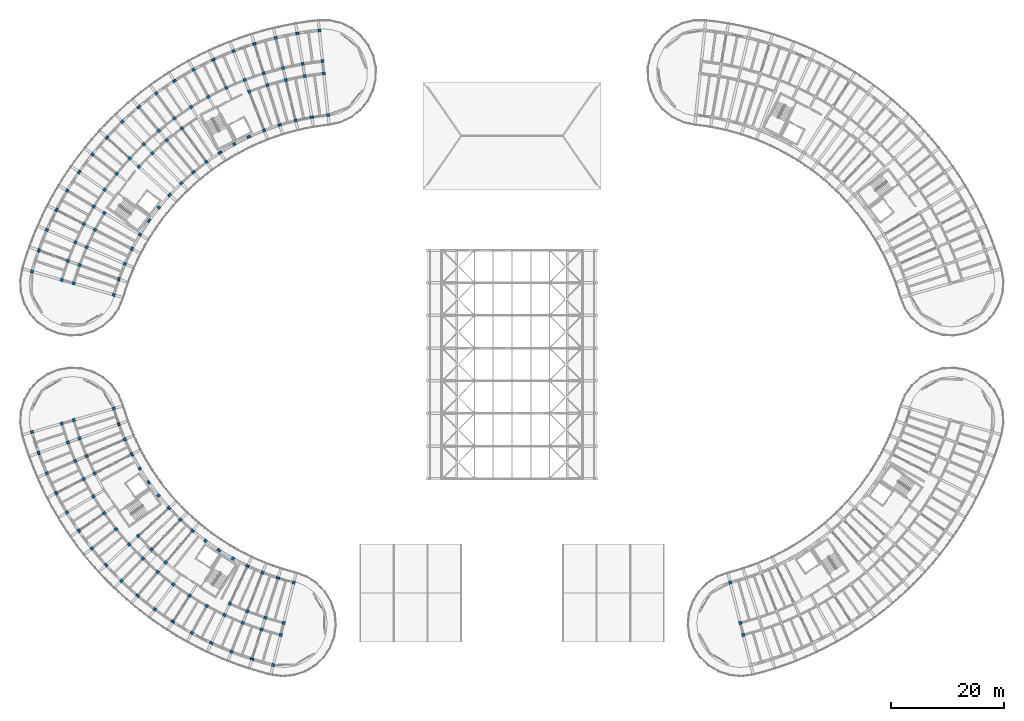
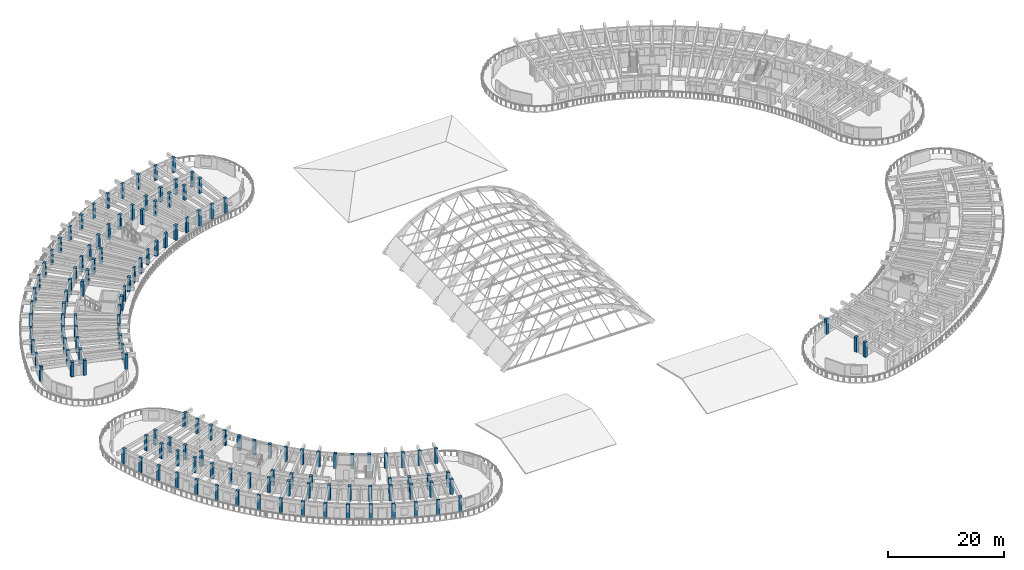
# One storey, part 1 of 81: 136 columns.
"""IFC4 building model written with IfcOpenShell, lengths in metres."""

from ifc_helpers import new_model, si_unit, direction, frame, origin, origin_2d, place, context, subcontext, project, spatial, rectangle, extrude, material, material_profile, profile_set, type_object, element, save


model = new_model("IFC4")

# Units and contexts
model_context = context("Model", 3, precision=1e-05, world=origin(), true_north=direction((0.0, 1.0)))
body_context = subcontext(model_context, "Body", "Model", "MODEL_VIEW")
ifc_project = project(units=[si_unit("LENGTHUNIT", "METRE"), si_unit("AREAUNIT", "SQUARE_METRE"), si_unit("VOLUMEUNIT", "CUBIC_METRE"), si_unit("PLANEANGLEUNIT", "RADIAN"), si_unit("MASSUNIT", "GRAM", prefix="KILO")], contexts=[model_context])

# Site, building, storey
site_placement = place(None, origin())
site = spatial("IfcSite", under=ifc_project, at=site_placement, CompositionType="ELEMENT")
building_placement = place(site_placement, origin())
building = spatial("IfcBuilding", under=site, at=building_placement, Name="Tanwirah Colonnade Gardens", CompositionType="ELEMENT")
storey_placement = place(building_placement, frame((0.0, 0.0, 8.840087890625)))
storey = spatial("IfcBuildingStorey", under=building, at=storey_placement, Name="L02", CompositionType="ELEMENT", Elevation=8.840087890625)

# Columns
ifc_material_1 = material(Name="Precast concrete C40/50", Category="concrete")
ifc_material_profile_1 = material_profile(ifc_material_1, rectangle(XDim=0.56005859375, YDim=0.56005859375, at=origin_2d()), Name="PC-COL 560x560")
ifc_profile_set_1 = profile_set([ifc_material_profile_1], Name="Precast concrete C40/50")
column_type_1 = type_object("IfcColumnType", Name="C-PC480", PredefinedType="COLUMN", material=ifc_profile_set_1)
for number, where, z_axis, x_axis, name in (
    (1, (22.27197265625, 52.247802734375, 0.0), (0.0, 0.0, 1.0), (-0.961261695938, -0.275637355817, 0.0), "Block C L02 Column 0-R0"),
    (2, (15.15869140625, 50.208251953125, 0.0), (0.0, 0.0, 1.0), (-0.961261695938, -0.275637355817, 0.0), "Block C L02 Column 0-R1"),
    (3, (13.043701171875, 49.601806640625, 0.0), (0.0, 0.0, 1.0), (-0.961261695938, -0.275637355817, 0.0), "Block C L02 Column 0-R2"),
    (4, (7.7568359375, 48.085693359375, 0.0), (0.0, 0.0, 1.0), (-0.961261695938, -0.275637355817, 0.0), "Block C L02 Column 0-R3"),
    (5, (16.199951171875, 46.97900390625, 0.0), (0.0, 0.0, 1.0), (-0.941176015256, -0.337916718003, 0.0), "Block C L02 Column 1-R1"),
    (6, (14.12939453125, 46.235595703125, 0.0), (0.0, 0.0, 1.0), (-0.941176015256, -0.337916718003, 0.0), "Block C L02 Column 1-R2"),
    (7, (24.236572265625, 46.775634765625, 0.0), (0.0, 0.0, 1.0), (-0.917060074385, -0.398749068925, 0.0), "Block C L02 Column 2-R0"),
    (8, (17.450439453125, 43.824951171875, 0.0), (0.0, 0.0, 1.0), (-0.917060074385, -0.398749068925, 0.0), "Block C L02 Column 2-R1"),
    (9, (15.432861328125, 42.947509765625, 0.0), (0.0, 0.0, 1.0), (-0.917060074385, -0.398749068925, 0.0), "Block C L02 Column 2-R2"),
    (10, (10.38916015625, 40.75439453125, 0.0), (0.0, 0.0, 1.0), (-0.917060074385, -0.398749068925, 0.0), "Block C L02 Column 2-R3"),
    (11, (18.904541015625, 40.75927734375, 0.0), (0.0, 0.0, 1.0), (-0.889017141486, -0.457873915117, 0.0), "Block C L02 Column 3-R1"),
    (12, (16.94873046875, 39.751953125, 0.0), (0.0, 0.0, 1.0), (-0.889017141486, -0.457873915117, 0.0), "Block C L02 Column 3-R2"),
    (13, (26.89892578125, 41.6064453125, 0.0), (0.0, 0.0, 1.0), (-0.857167300702, -0.51503807491, 0.0), "Block C L02 Column 4-R0"),
    (14, (18.670166015625, 36.662109375, 0.0), (0.0, 0.0, 1.0), (-0.857167300702, -0.51503807491, 0.0), "Block C L02 Column 4-R2"),
    (15, (13.95556640625, 33.82958984375, 0.0), (0.0, 0.0, 1.0), (-0.857167300702, -0.51503807491, 0.0), "Block C L02 Column 4-R3"),
    (16, (20.590087890625, 33.691650390625, 0.0), (0.0, 0.0, 1.0), (-0.821646937942, -0.569996762596, 0.0), "Block C L02 Column 5-R2"),
    (17, (30.213134765625, 36.829345703125, 0.0), (0.0, 0.0, 1.0), (-0.782608156852, -0.622514636638, 0.0), "Block C L02 Column 6-R0"),
    (18, (22.699951171875, 30.85302734375, 0.0), (0.0, 0.0, 1.0), (-0.782608156852, -0.622514636638, 0.0), "Block C L02 Column 6-R2"),
    (19, (18.395751953125, 27.42919921875, 0.0), (0.0, 0.0, 1.0), (-0.782608156852, -0.622514636638, 0.0), "Block C L02 Column 6-R3"),
    (20, (26.61962890625, 29.6376953125, 0.0), (0.0, 0.0, 1.0), (-0.740218127487, -0.672366807435, 0.0), "Block C L02 Column 7-R1"),
    (21, (24.9912109375, 28.15869140625, 0.0), (0.0, 0.0, 1.0), (-0.740218127487, -0.672366807435, 0.0), "Block C L02 Column 7-R2"),
    (22, (34.122314453125, 32.525390625, 0.0), (0.0, 0.0, 1.0), (-0.694658370459, -0.719339800339, 0.0), "Block C L02 Column 8-R0"),
    (23, (28.98193359375, 27.2021484375, 0.0), (0.0, 0.0, 1.0), (-0.694658370459, -0.719339800339, 0.0), "Block C L02 Column 8-R1"),
    (24, (27.45361328125, 25.61962890625, 0.0), (0.0, 0.0, 1.0), (-0.694658370459, -0.719339800339, 0.0), "Block C L02 Column 8-R2"),
    (25, (23.633056640625, 21.663330078125, 0.0), (0.0, 0.0, 1.0), (-0.694658370459, -0.719339800339, 0.0), "Block C L02 Column 8-R3"),
    (26, (31.49853515625, 24.926513671875, 0.0), (0.0, 0.0, 1.0), (-0.646123979643, -0.763232469783, 0.0), "Block C L02 Column 9-R1"),
    (27, (30.076904296875, 23.247314453125, 0.0), (0.0, 0.0, 1.0), (-0.646123979643, -0.763232469783, 0.0), "Block C L02 Column 9-R2"),
    (28, (38.56005859375, 28.7685546875, 0.0), (0.0, 0.0, 1.0), (-0.594822786751, -0.803856860617, 0.0), "Block C L02 Column 10-R0"),
    (29, (32.849853515625, 21.051513671875, 0.0), (0.0, 0.0, 1.0), (-0.594822786751, -0.803856860617, 0.0), "Block C L02 Column 10-R2"),
    (30, (29.578369140625, 16.63037109375, 0.0), (0.0, 0.0, 1.0), (-0.594822786751, -0.803856860617, 0.0), "Block C L02 Column 10-R3"),
    (31, (35.76025390625, 19.041748046875, 0.0), (0.0, 0.0, 1.0), (-0.540974471368, -0.841039012964, 0.0), "Block C L02 Column 11-R2"),
    (32, (43.4501953125, 25.623046875, 0.0), (0.0, 0.0, 1.0), (-0.484809620246, -0.874619707139, 0.0), "Block C L02 Column 12-R0"),
    (33, (38.796142578125, 17.226806640625, 0.0), (0.0, 0.0, 1.0), (-0.484809620246, -0.874619707139, 0.0), "Block C L02 Column 12-R2"),
    (34, (36.129638671875, 12.41650390625, 0.0), (0.0, 0.0, 1.0), (-0.484809620246, -0.874619707139, 0.0), "Block C L02 Column 12-R3"),
    (35, (42.88232421875, 17.60400390625, 0.0), (0.0, 0.0, 1.0), (-0.426568739901, -0.904455145454, 0.0), "Block C L02 Column 13-R1"),
    (36, (41.94384765625, 15.6142578125, 0.0), (0.0, 0.0, 1.0), (-0.426568739901, -0.904455145454, 0.0), "Block C L02 Column 13-R2"),
    (37, (48.708984375, 23.142822265625, 0.0), (0.0, 0.0, 1.0), (-0.366501226724, -0.930417567982, 0.0), "Block C L02 Column 14-R0"),
    (38, (45.996826171875, 16.2578125, 0.0), (0.0, 0.0, 1.0), (-0.366501226724, -0.930417567982, 0.0), "Block C L02 Column 14-R1"),
    (39, (45.190673828125, 14.2109375, 0.0), (0.0, 0.0, 1.0), (-0.366501226724, -0.930417567982, 0.0), "Block C L02 Column 14-R2"),
    (40, (43.1748046875, 9.09375, 0.0), (0.0, 0.0, 1.0), (-0.366501226724, -0.930417567982, 0.0), "Block C L02 Column 14-R3"),
    (41, (49.19287109375, 15.1181640625, 0.0), (0.0, 0.0, 1.0), (-0.304864299028, -0.952395799643, 0.0), "Block C L02 Column 15-R1"),
    (42, (48.52197265625, 13.02294921875, 0.0), (0.0, 0.0, 1.0), (-0.304864299028, -0.952395799643, 0.0), "Block C L02 Column 15-R2"),
    (43, (54.24658203125, 21.370361328125, 0.0), (0.0, 0.0, 1.0), (-0.2419218956, -0.970295726276, 0.0), "Block C L02 Column 16-R0"),
    (44, (52.456298828125, 14.190185546875, 0.0), (0.0, 0.0, 1.0), (-0.2419218956, -0.970295726276, 0.0), "Block C L02 Column 16-R1"),
    (45, (51.924072265625, 12.055419921875, 0.0), (0.0, 0.0, 1.0), (-0.2419218956, -0.970295726276, 0.0), "Block C L02 Column 16-R2"),
    (46, (50.593505859375, 6.718994140625, 0.0), (0.0, 0.0, 1.0), (-0.2419218956, -0.970295726276, 0.0), "Block C L02 Column 16-R3"),
    (47, (131.75341796875, 21.370361328125, 0.0), (0.0, 0.0, 1.0), (0.2419218956, -0.970295726276, 0.0), "Block D L02 Column 0-R0"),
    (48, (133.543701171875, 14.190185546875, 0.0), (0.0, 0.0, 1.0), (0.2419218956, -0.970295726276, 0.0), "Block D L02 Column 0-R1"),
    (49, (134.075927734375, 12.055419921875, 0.0), (0.0, 0.0, 1.0), (0.2419218956, -0.970295726276, 0.0), "Block D L02 Column 0-R2"),
):
    element("IfcColumn", number, at=place(storey_placement, frame(where, z_axis=z_axis, x_axis=x_axis)), inside=storey, type_object=column_type_1, Name=name, PredefinedType="COLUMN", context=body_context, shape_type="SweptSolid", body=[
        extrude(rectangle(XDim=0.56005859375, YDim=0.56005859375, at=origin_2d()), origin(), (0.0, 0.0, 1.0), 3.10498046875),
    ])
ifc_material_2 = material(Name="Precast concrete C45/55", Category="concrete")
ifc_material_profile_2 = material_profile(ifc_material_2, rectangle(XDim=0.550048828125, YDim=0.550048828125, at=origin_2d()), Name="PC-COL 550x550")
ifc_profile_set_2 = profile_set([ifc_material_profile_2], Name="Precast concrete C45/55")
column_type_2 = type_object("IfcColumnType", Name="C-PC550", PredefinedType="COLUMN", material=ifc_profile_set_2)
for number, where, z_axis, x_axis, name in (
    (50, (60.353759765625, 104.406494140625, 0.0), (0.0, 0.0, 1.0), (-0.104528463268, 0.994521895368, 0.0), "Block A L02 Column 0-R0"),
    (51, (59.580078125, 111.765869140625, 0.0), (0.0, 0.0, 1.0), (-0.104528463268, 0.994521895368, 0.0), "Block A L02 Column 0-R1"),
    (52, (59.350341796875, 113.953857421875, 0.0), (0.0, 0.0, 1.0), (-0.104528463268, 0.994521895368, 0.0), "Block A L02 Column 0-R2"),
    (53, (58.775390625, 119.423828125, 0.0), (0.0, 0.0, 1.0), (-0.104528463268, 0.994521895368, 0.0), "Block A L02 Column 0-R3"),
    (54, (56.1943359375, 111.296875, 0.0), (0.0, 0.0, 1.0), (-0.169827298811, 0.985473839622, 0.0), "Block A L02 Column 1-R1"),
    (55, (55.82080078125, 113.46484375, 0.0), (0.0, 0.0, 1.0), (-0.169827298811, 0.985473839622, 0.0), "Block A L02 Column 1-R2"),
    (56, (54.58154296875, 103.411865234375, 0.0), (0.0, 0.0, 1.0), (-0.23438809799, 0.972143106503, 0.0), "Block A L02 Column 2-R0"),
    (57, (52.846923828125, 110.605712890625, 0.0), (0.0, 0.0, 1.0), (-0.23438809799, 0.972143106503, 0.0), "Block A L02 Column 2-R1"),
    (58, (52.331298828125, 112.744384765625, 0.0), (0.0, 0.0, 1.0), (-0.23438809799, 0.972143106503, 0.0), "Block A L02 Column 2-R2"),
    (59, (51.042236328125, 118.091064453125, 0.0), (0.0, 0.0, 1.0), (-0.23438809799, 0.972143106503, 0.0), "Block A L02 Column 2-R3"),
    (60, (49.55224609375, 109.6953125, 0.0), (0.0, 0.0, 1.0), (-0.297930292146, 0.954587628781, 0.0), "Block A L02 Column 3-R1"),
    (61, (48.89697265625, 111.79541015625, 0.0), (0.0, 0.0, 1.0), (-0.297930292146, 0.954587628781, 0.0), "Block A L02 Column 3-R2"),
    (62, (48.989990234375, 101.666748046875, 0.0), (0.0, 0.0, 1.0), (-0.360177739278, 0.932883699144, 0.0), "Block A L02 Column 4-R0"),
    (63, (46.32470703125, 108.570068359375, 0.0), (0.0, 0.0, 1.0), (-0.360177739278, 0.932883699144, 0.0), "Block A L02 Column 4-R1"),
    (64, (45.532470703125, 110.622314453125, 0.0), (0.0, 0.0, 1.0), (-0.360177739278, 0.932883699144, 0.0), "Block A L02 Column 4-R2"),
    (65, (43.551513671875, 115.753173828125, 0.0), (0.0, 0.0, 1.0), (-0.360177739278, 0.932883699144, 0.0), "Block A L02 Column 4-R3"),
    (66, (42.25244140625, 109.230224609375, 0.0), (0.0, 0.0, 1.0), (-0.420859924104, 0.907125638643, 0.0), "Block A L02 Column 5-R2"),
    (67, (43.6767578125, 99.20166015625, 0.0), (0.0, 0.0, 1.0), (-0.479713133669, 0.877425386791, 0.0), "Block A L02 Column 6-R0"),
    (68, (39.071533203125, 107.624755859375, 0.0), (0.0, 0.0, 1.0), (-0.479713133669, 0.877425386791, 0.0), "Block A L02 Column 6-R2"),
    (69, (36.43310546875, 112.45068359375, 0.0), (0.0, 0.0, 1.0), (-0.479713133669, 0.877425386791, 0.0), "Block A L02 Column 6-R3"),
    (70, (36.003173828125, 105.8134765625, 0.0), (0.0, 0.0, 1.0), (-0.536481603385, 0.843912015099, 0.0), "Block A L02 Column 7-R2"),
    (71, (38.733642578125, 96.05908203125, 0.0), (0.0, 0.0, 1.0), (-0.590918628541, 0.806731166153, 0.0), "Block A L02 Column 8-R0"),
    (72, (34.36083984375, 102.029052734375, 0.0), (0.0, 0.0, 1.0), (-0.590918628541, 0.806731166153, 0.0), "Block A L02 Column 8-R1"),
    (73, (33.060791015625, 103.8037109375, 0.0), (0.0, 0.0, 1.0), (-0.590918628541, 0.806731166153, 0.0), "Block A L02 Column 8-R2"),
    (74, (29.810791015625, 108.24072265625, 0.0), (0.0, 0.0, 1.0), (-0.590918628541, 0.806731166153, 0.0), "Block A L02 Column 8-R3"),
    (75, (31.67138671875, 99.91943359375, 0.0), (0.0, 0.0, 1.0), (-0.642787636427, 0.766044420681, 0.0), "Block A L02 Column 9-R1"),
    (76, (30.25732421875, 101.604736328125, 0.0), (0.0, 0.0, 1.0), (-0.642787636427, 0.766044420681, 0.0), "Block A L02 Column 9-R2"),
    (77, (34.24658203125, 92.294189453125, 0.0), (0.0, 0.0, 1.0), (-0.691863214436, 0.722028595355, 0.0), "Block A L02 Column 10-R0"),
    (78, (29.126953125, 97.63720703125, 0.0), (0.0, 0.0, 1.0), (-0.691863214436, 0.722028595355, 0.0), "Block A L02 Column 10-R1"),
    (79, (27.604736328125, 99.2255859375, 0.0), (0.0, 0.0, 1.0), (-0.691863214436, 0.722028595355, 0.0), "Block A L02 Column 10-R2"),
    (80, (23.799560546875, 103.19677734375, 0.0), (0.0, 0.0, 1.0), (-0.691863214436, 0.722028595355, 0.0), "Block A L02 Column 10-R3"),
    (81, (26.73828125, 95.1923828125, 0.0), (0.0, 0.0, 1.0), (-0.737932089665, 0.674874974378, 0.0), "Block A L02 Column 11-R1"),
    (82, (25.11474609375, 96.677001953125, 0.0), (0.0, 0.0, 1.0), (-0.737932089665, 0.674874974378, 0.0), "Block A L02 Column 11-R2"),
    (83, (30.293701171875, 87.971923828125, 0.0), (0.0, 0.0, 1.0), (-0.780794055756, 0.624788478204, 0.0), "Block A L02 Column 12-R0"),
    (84, (22.798095703125, 93.9697265625, 0.0), (0.0, 0.0, 1.0), (-0.780794055756, 0.624788478204, 0.0), "Block A L02 Column 12-R2"),
    (85, (18.503662109375, 97.40625, 0.0), (0.0, 0.0, 1.0), (-0.780794055756, 0.624788478204, 0.0), "Block A L02 Column 12-R3"),
    (86, (20.664794921875, 91.115966796875, 0.0), (0.0, 0.0, 1.0), (-0.82026284295, 0.57198677299, 0.0), "Block A L02 Column 13-R2"),
    (87, (26.943359375, 83.167236328125, 0.0), (0.0, 0.0, 1.0), (-0.856166927587, 0.516699324663, 0.0), "Block A L02 Column 14-R0"),
    (88, (20.607666015625, 86.990966796875, 0.0), (0.0, 0.0, 1.0), (-0.856166927587, 0.516699324663, 0.0), "Block A L02 Column 14-R1"),
    (89, (18.72412109375, 88.127685546875, 0.0), (0.0, 0.0, 1.0), (-0.856166927587, 0.516699324663, 0.0), "Block A L02 Column 14-R2"),
    (90, (14.015380859375, 90.969482421875, 0.0), (0.0, 0.0, 1.0), (-0.856166927587, 0.516699324663, 0.0), "Block A L02 Column 14-R3"),
    (91, (18.93896484375, 84.0078125, 0.0), (0.0, 0.0, 1.0), (-0.888350277506, 0.459166401705, 0.0), "Block A L02 Column 15-R1"),
    (92, (16.984619140625, 85.017822265625, 0.0), (0.0, 0.0, 1.0), (-0.888350277506, 0.459166401705, 0.0), "Block A L02 Column 15-R2"),
    (93, (24.25390625, 77.9638671875, 0.0), (0.0, 0.0, 1.0), (-0.916673030138, 0.399638030994, 0.0), "Block A L02 Column 16-R0"),
    (94, (17.470458984375, 80.921142578125, 0.0), (0.0, 0.0, 1.0), (-0.916673030138, 0.399638030994, 0.0), "Block A L02 Column 16-R1"),
    (95, (15.453857421875, 81.800537109375, 0.0), (0.0, 0.0, 1.0), (-0.916673030138, 0.399638030994, 0.0), "Block A L02 Column 16-R2"),
    (96, (10.412109375, 83.99853515625, 0.0), (0.0, 0.0, 1.0), (-0.916673030138, 0.399638030994, 0.0), "Block A L02 Column 16-R3"),
    (97, (16.20849609375, 77.74462890625, 0.0), (0.0, 0.0, 1.0), (-0.941012100316, 0.338372911236, 0.0), "Block A L02 Column 17-R1"),
    (98, (14.13818359375, 78.489013671875, 0.0), (0.0, 0.0, 1.0), (-0.941012100316, 0.338372911236, 0.0), "Block A L02 Column 17-R2"),
    (99, (22.27197265625, 72.4521484375, 0.0), (0.0, 0.0, 1.0), (-0.961261715181, 0.275637288708, 0.0), "Block A L02 Column 18-R0"),
    (100, (15.15869140625, 74.49169921875, 0.0), (0.0, 0.0, 1.0), (-0.961261715181, 0.275637288708, 0.0), "Block A L02 Column 18-R1"),
    (101, (13.043701171875, 75.09814453125, 0.0), (0.0, 0.0, 1.0), (-0.961261715181, 0.275637288708, 0.0), "Block A L02 Column 18-R2"),
    (102, (7.7568359375, 76.6142578125, 0.0), (0.0, 0.0, 1.0), (-0.961261715181, 0.275637288708, 0.0), "Block A L02 Column 18-R3"),
):
    element("IfcColumn", number, at=place(storey_placement, frame(where, z_axis=z_axis, x_axis=x_axis)), inside=storey, type_object=column_type_2, Name=name, PredefinedType="COLUMN", context=body_context, shape_type="SweptSolid", body=[
        extrude(rectangle(XDim=0.550048828125, YDim=0.550048828125, at=origin_2d()), origin(), (0.0, 0.0, 1.0), 3.10498046875),
    ])
ifc_material_profile_3 = material_profile(ifc_material_1, rectangle(XDim=0.3798828125, YDim=0.6201171875, at=origin_2d()), Name="PC-PIL 380x620")
ifc_profile_set_3 = profile_set([ifc_material_profile_3], Name="Precast concrete C40/50")
column_type_3 = type_object("IfcColumnType", Name="PIL-380", PredefinedType="PILASTER", material=ifc_profile_set_3)
for number, where, z_axis, x_axis, name in (
    (103, (57.451171875, 104.00439453125, 0.0), (0.0, 0.0, 1.0), (-0.169827298811, 0.985473839622, 0.0), "Block A L02 Column 1-R0"),
    (104, (54.88671875, 118.885009765625, 0.0), (0.0, 0.0, 1.0), (-0.169827298811, 0.985473839622, 0.0), "Block A L02 Column 1-R3"),
    (105, (51.757080078125, 102.63134765625, 0.0), (0.0, 0.0, 1.0), (-0.297930292146, 0.954587628781, 0.0), "Block A L02 Column 3-R0"),
    (106, (47.25830078125, 117.045654296875, 0.0), (0.0, 0.0, 1.0), (-0.297930292146, 0.954587628781, 0.0), "Block A L02 Column 3-R3"),
    (107, (46.292724609375, 100.521728515625, 0.0), (0.0, 0.0, 1.0), (-0.420859924104, 0.907125638643, 0.0), "Block A L02 Column 5-R0"),
    (108, (39.937744140625, 114.21923828125, 0.0), (0.0, 0.0, 1.0), (-0.420859924104, 0.907125638643, 0.0), "Block A L02 Column 5-R3"),
    (109, (41.1533203125, 97.7119140625, 0.0), (0.0, 0.0, 1.0), (-0.536481603385, 0.843912015099, 0.0), "Block A L02 Column 7-R0"),
    (110, (33.052490234375, 110.455078125, 0.0), (0.0, 0.0, 1.0), (-0.536481603385, 0.843912015099, 0.0), "Block A L02 Column 7-R3"),
    (111, (36.427978515625, 94.250732421875, 0.0), (0.0, 0.0, 1.0), (-0.642787636427, 0.766044420681, 0.0), "Block A L02 Column 9-R0"),
    (112, (26.721923828125, 105.81787109375, 0.0), (0.0, 0.0, 1.0), (-0.642787636427, 0.766044420681, 0.0), "Block A L02 Column 9-R3"),
    (113, (32.198974609375, 90.1982421875, 0.0), (0.0, 0.0, 1.0), (-0.737932089665, 0.674874974378, 0.0), "Block A L02 Column 11-R0"),
    (114, (21.05615234375, 100.388916015625, 0.0), (0.0, 0.0, 1.0), (-0.737932089665, 0.674874974378, 0.0), "Block A L02 Column 11-R3"),
    (115, (28.539306640625, 85.624755859375, 0.0), (0.0, 0.0, 1.0), (-0.82026284295, 0.57198677299, 0.0), "Block A L02 Column 13-R0"),
    (116, (16.1533203125, 94.26171875, 0.0), (0.0, 0.0, 1.0), (-0.82026284295, 0.57198677299, 0.0), "Block A L02 Column 13-R3"),
    (117, (25.512939453125, 80.60986328125, 0.0), (0.0, 0.0, 1.0), (-0.888350277506, 0.459166401705, 0.0), "Block A L02 Column 15-R0"),
    (118, (12.0986328125, 87.54345703125, 0.0), (0.0, 0.0, 1.0), (-0.888350277506, 0.459166401705, 0.0), "Block A L02 Column 15-R3"),
    (119, (23.172119140625, 75.24072265625, 0.0), (0.0, 0.0, 1.0), (-0.941012100316, 0.338372911236, 0.0), "Block A L02 Column 17-R0"),
    (120, (8.962646484375, 80.35009765625, 0.0), (0.0, 0.0, 1.0), (-0.941012100316, 0.338372911236, 0.0), "Block A L02 Column 17-R3"),
    (121, (23.164794921875, 49.4794921875, 0.0), (0.0, 0.0, 1.0), (-0.941176015256, -0.337916718003, 0.0), "Block C L02 Column 1-R0"),
    (122, (8.952880859375, 44.376953125, 0.0), (0.0, 0.0, 1.0), (-0.941176015256, -0.337916718003, 0.0), "Block C L02 Column 1-R3"),
    (123, (25.483154296875, 44.1474609375, 0.0), (0.0, 0.0, 1.0), (-0.889017141486, -0.457873915117, 0.0), "Block C L02 Column 3-R0"),
    (124, (12.05908203125, 37.233642578125, 0.0), (0.0, 0.0, 1.0), (-0.889017141486, -0.457873915117, 0.0), "Block C L02 Column 3-R3"),
    (125, (28.477783203125, 39.16357421875, 0.0), (0.0, 0.0, 1.0), (-0.821646937942, -0.569996762596, 0.0), "Block C L02 Column 5-R0"),
    (126, (16.071044921875, 30.556640625, 0.0), (0.0, 0.0, 1.0), (-0.821646937942, -0.569996762596, 0.0), "Block C L02 Column 5-R3"),
    (127, (32.097412109375, 34.61328125, 0.0), (0.0, 0.0, 1.0), (-0.740218127487, -0.672366807435, 0.0), "Block C L02 Column 7-R0"),
    (128, (20.919921875, 24.46044921875, 0.0), (0.0, 0.0, 1.0), (-0.740218127487, -0.672366807435, 0.0), "Block C L02 Column 7-R3"),
    (129, (36.27978515625, 30.57421875, 0.0), (0.0, 0.0, 1.0), (-0.646123979643, -0.763232469783, 0.0), "Block C L02 Column 9-R0"),
    (130, (26.5234375, 19.049560546875, 0.0), (0.0, 0.0, 1.0), (-0.646123979643, -0.763232469783, 0.0), "Block C L02 Column 9-R3"),
    (131, (40.95361328125, 27.11572265625, 0.0), (0.0, 0.0, 1.0), (-0.540974471368, -0.841039012964, 0.0), "Block C L02 Column 11-R0"),
    (132, (32.784912109375, 14.416015625, 0.0), (0.0, 0.0, 1.0), (-0.540974471368, -0.841039012964, 0.0), "Block C L02 Column 11-R3"),
    (133, (46.0390625, 24.296875, 0.0), (0.0, 0.0, 1.0), (-0.426568739901, -0.904455145454, 0.0), "Block C L02 Column 13-R0"),
    (134, (39.597900390625, 10.6396484375, 0.0), (0.0, 0.0, 1.0), (-0.426568739901, -0.904455145454, 0.0), "Block C L02 Column 13-R3"),
    (135, (51.44873046875, 22.166015625, 0.0), (0.0, 0.0, 1.0), (-0.304864299028, -0.952395799643, 0.0), "Block C L02 Column 15-R0"),
    (136, (46.84521484375, 7.784912109375, 0.0), (0.0, 0.0, 1.0), (-0.304864299028, -0.952395799643, 0.0), "Block C L02 Column 15-R3"),
):
    element("IfcColumn", number, at=place(storey_placement, frame(where, z_axis=z_axis, x_axis=x_axis)), inside=storey, type_object=column_type_3, Name=name, PredefinedType="PILASTER", context=body_context, shape_type="SweptSolid", body=[
        extrude(rectangle(XDim=0.3798828125, YDim=0.6201171875, at=origin_2d()), origin(), (0.0, 0.0, 1.0), 3.10498046875),
    ])

save(model, "model.ifc")
